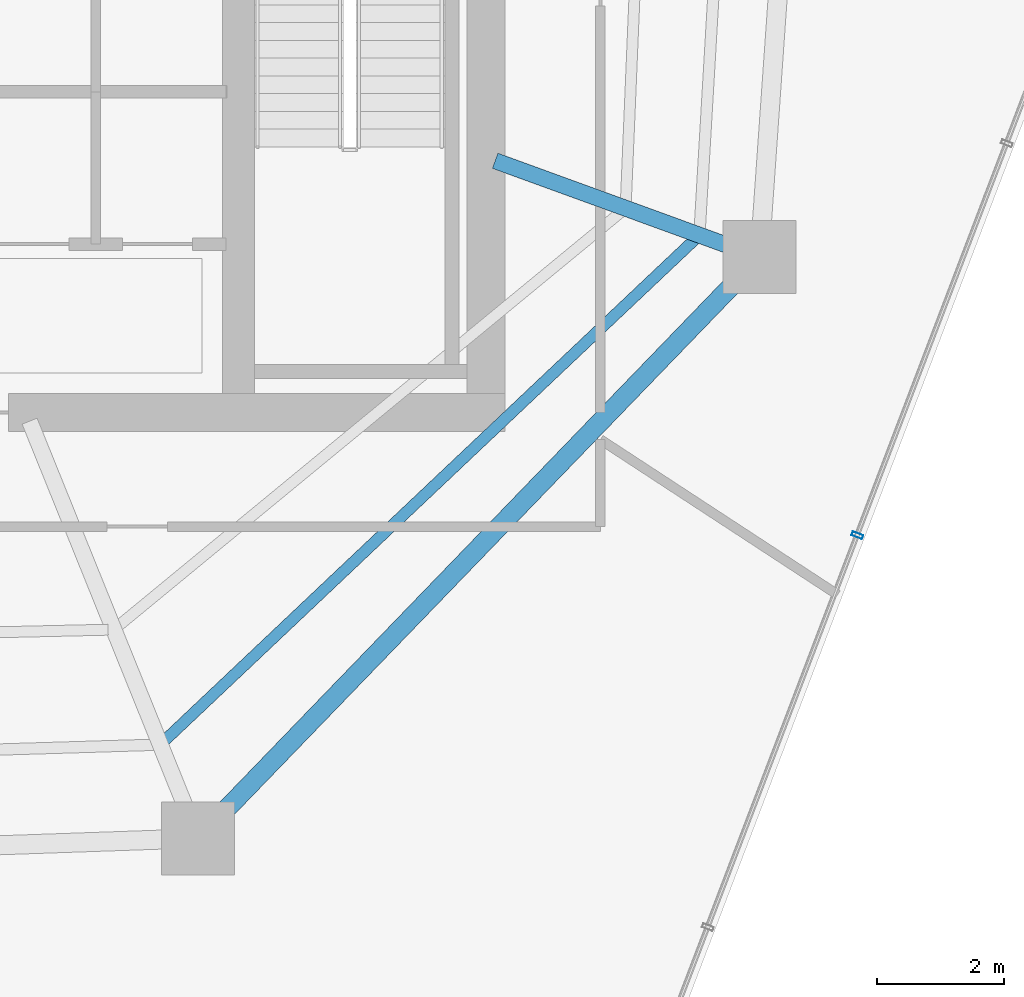
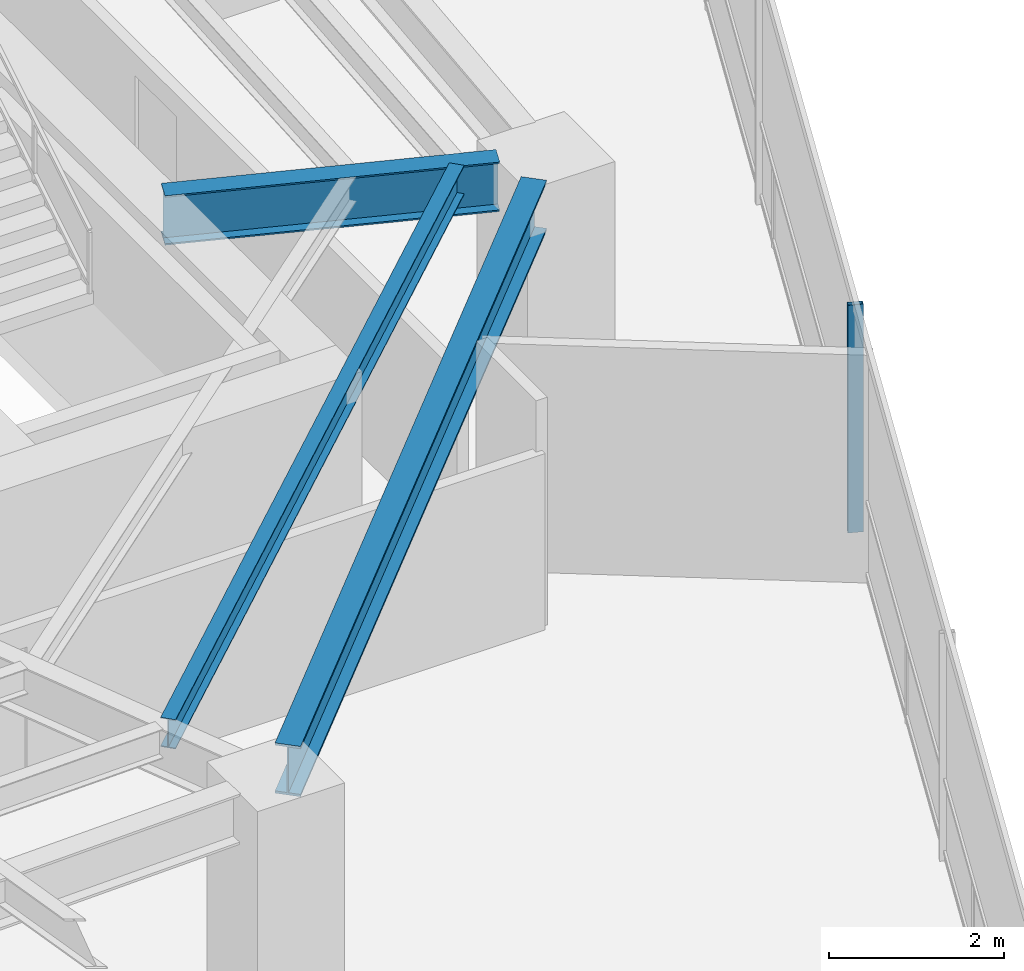
# One storey, part 12 of 27: 3 beams, 1 member, 1 element without a shape of its own.
"""IFC4 building model written with IfcOpenShell, lengths in metres."""

from ifc_helpers import new_model, si_unit, direction, frame, origin, origin_2d, place, context, subcontext, project, spatial, hollow_rectangle, i_section, extrude, material, layer, layer_set, material_profile, profile_set, type_object, element, aggregate, save


model = new_model("IFC4")

# Units and contexts
model_context = context("Model", 3, precision=1e-05, world=origin(), true_north=direction((0.0, 1.0)))
body_context = subcontext(model_context, "Body", "Model", "MODEL_VIEW")
ifc_project = project(units=[si_unit("LENGTHUNIT", "METRE"), si_unit("AREAUNIT", "SQUARE_METRE"), si_unit("VOLUMEUNIT", "CUBIC_METRE"), si_unit("PLANEANGLEUNIT", "RADIAN"), si_unit("MASSUNIT", "GRAM", prefix="KILO")], contexts=[model_context])

# Site, building, storey
site_placement = place(None, origin())
site = spatial("IfcSite", under=ifc_project, at=site_placement, CompositionType="ELEMENT")
building_placement = place(site_placement, origin())
building = spatial("IfcBuilding", under=site, at=building_placement, Name="Qarnah Convention Tower", CompositionType="ELEMENT")
storey_placement = place(building_placement, frame((0.0, 0.0, 100.5)))
storey = spatial("IfcBuildingStorey", under=building, at=storey_placement, Name="L26", CompositionType="ELEMENT", Elevation=100.5)

# Beams
ifc_material_1 = material(Name="Structural steel S355JR", Category="steel")
ifc_material_profile_1 = material_profile(ifc_material_1, i_section(OverallWidth=0.177978515625, OverallDepth=0.407958984375, WebThickness=0.008056640625, FlangeThickness=0.012939453125, at=origin_2d()), Name="W410X60")
ifc_profile_set_1 = profile_set([ifc_material_profile_1], Name="Structural steel S355JR")
beam_type_1 = type_object("IfcBeamType", Name="BM-JST-W410", PredefinedType="JOIST", material=ifc_profile_set_1)
beam_1_placement = place(storey_placement, frame((42.531982421875, 13.427978515625, 2.966064453125), z_axis=(0.726813624137, 0.686834736868, 0.0), x_axis=(-0.686834736868, 0.726813624137, 0.0)))
element("IfcBeam", 1, at=beam_1_placement, inside=storey, type_object=beam_type_1, Name="L26 joist BM-L26-SJST-08", PredefinedType="JOIST", context=body_context, shape_type="SweptSolid", body=[
    extrude(i_section(OverallWidth=0.177978515625, OverallDepth=0.407958984375, WebThickness=0.008056640625, FlangeThickness=0.012939453125, at=origin_2d()), origin(), (0.0, 0.0, 1.0), 11.505126953125),
])
ifc_material_profile_2 = material_profile(ifc_material_1, i_section(OverallWidth=0.25390625, OverallDepth=0.68798828125, WebThickness=0.012939453125, FlangeThickness=0.02099609375, at=origin_2d()), Name="W690X152")
ifc_profile_set_2 = profile_set([ifc_material_profile_2], Name="Structural steel S355JR")
beam_type_2 = type_object("IfcBeamType", Name="BM-RAD-W690", PredefinedType="BEAM", material=ifc_profile_set_2)
beam_2_placement = place(storey_placement, frame((47.740966796875, 22.56298828125, 2.825927734375), z_axis=(0.93969593668, -0.342011032845, 0.0), x_axis=(0.342011032845, 0.93969593668, 0.0)))
element("IfcBeam", 2, at=beam_2_placement, inside=storey, type_object=beam_type_2, Name="L26 beam BM-L26-RAD-09", PredefinedType="BEAM", context=body_context, shape_type="SweptSolid", body=[
    extrude(i_section(OverallWidth=0.25390625, OverallDepth=0.68798828125, WebThickness=0.012939453125, FlangeThickness=0.02099609375, at=origin_2d()), origin(), (0.0, 0.0, 1.0), 3.876953125),
])
ifc_material_profile_3 = material_profile(ifc_material_1, i_section(OverallWidth=0.300048828125, OverallDepth=0.699951171875, WebThickness=0.01708984375, FlangeThickness=0.031982421875, at=origin_2d()), Name="HEB700")
ifc_profile_set_3 = profile_set([ifc_material_profile_3], Name="Structural steel S355JR")
beam_type_3 = type_object("IfcBeamType", Name="BM-RING-HEB700", PredefinedType="BEAM", material=ifc_profile_set_3)
beam_3_placement = place(storey_placement, frame((43.455078125, 12.2958984375, 2.820068359375), z_axis=(0.694656478954, 0.719341626939, 0.0), x_axis=(-0.719341626939, 0.694656478954, 0.0)))
element("IfcBeam", 3, at=beam_3_placement, inside=storey, type_object=beam_type_3, Name="L26 beam BM-L26-SPN-08", PredefinedType="BEAM", context=body_context, shape_type="SweptSolid", body=[
    extrude(i_section(OverallWidth=0.300048828125, OverallDepth=0.699951171875, WebThickness=0.01708984375, FlangeThickness=0.031982421875, at=origin_2d()), origin(), (0.0, 0.0, 1.0), 11.60107421875),
])

# Curtain wall, member
ifc_material_2 = material(Name="Tempered Low-E dark glass", Category="glass")
ifc_layer = layer(ifc_material_2, 0.169921875)
ifc_layer_set = layer_set([ifc_layer], Name="Tempered Low-E dark glass")
curtain_wall_type = type_object("IfcCurtainWallType", Name="CWS-02", PredefinedType="NOTDEFINED", material=ifc_layer_set)
curtain_wall_placement = place(storey_placement, origin())
curtain_wall = element("IfcCurtainWall", 4, at=curtain_wall_placement, inside=storey, type_object=curtain_wall_type, Name="L26 unitised curtain wall CW-L26-F1", PredefinedType="NOTDEFINED")
ifc_material_3 = material(Name="Black anodised aluminium", Category="aluminium")
ifc_material_profile_4 = material_profile(ifc_material_3, hollow_rectangle(XDim=0.06494140625, YDim=0.179931640625, WallThickness=0.00390625, at=origin_2d()), Name="MUL-65X180")
ifc_profile_set_4 = profile_set([ifc_material_profile_4], Name="Black anodised aluminium")
member_type = type_object("IfcMemberType", Name="MUL-T2", PredefinedType="MULLION", material=ifc_profile_set_4)
member_placement = place(storey_placement, frame((53.447021484375, 16.66357421875, 0.0), z_axis=(0.0, 0.0, 1.0), x_axis=(-0.356401833509, -0.934332774268, 0.0)))
member = element("IfcMember", 5, at=member_placement, type_object=member_type, Name="CW-L26-F1 mullion 4", PredefinedType="MULLION", context=body_context, shape_type="SweptSolid", body=[
    extrude(hollow_rectangle(XDim=0.06494140625, YDim=0.179931640625, WallThickness=0.00390625, at=origin_2d()), origin(), (0.0, 0.0, 1.0), 3.169921875),
])
aggregate(curtain_wall, [member])

save(model, "model.ifc")
